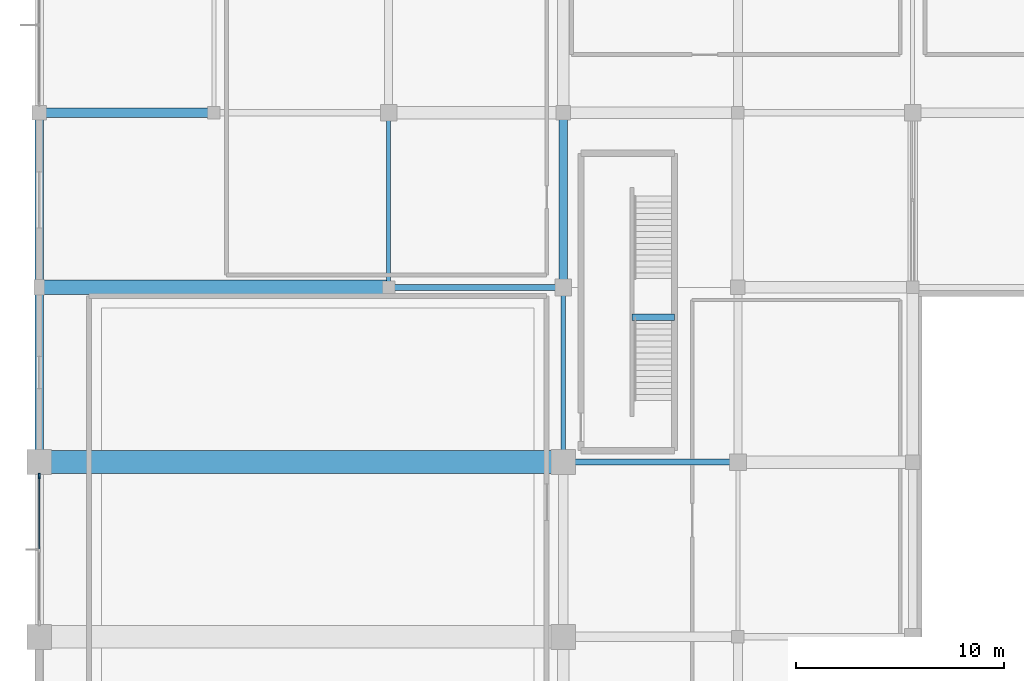
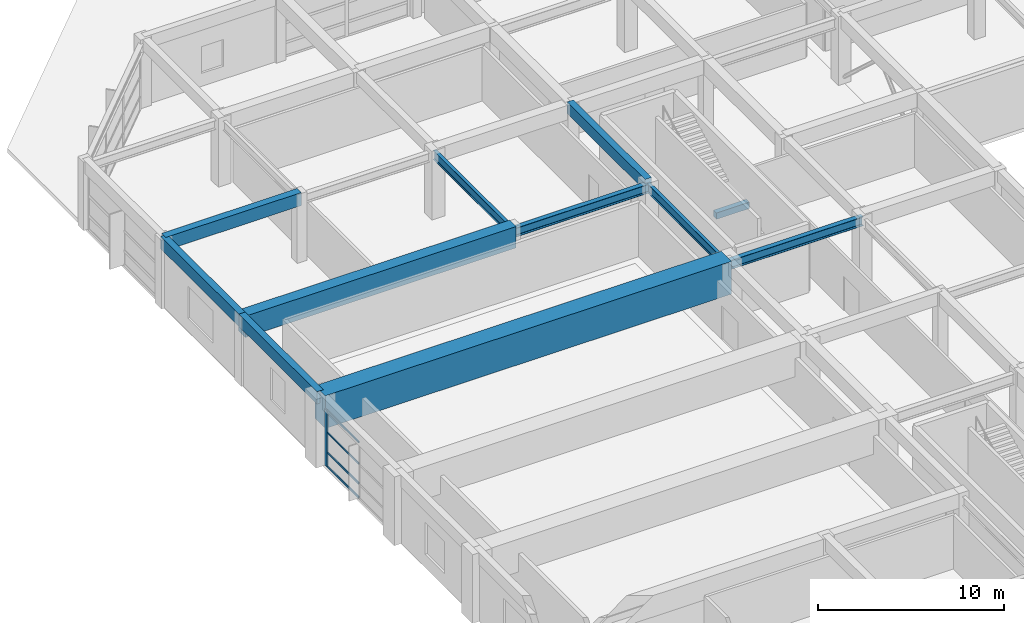
# One storey, part 19 of 60: 11 beams, 5 members, 1 element without a shape of its own.
"""IFC4 building model written with IfcOpenShell, lengths in metres."""

from ifc_helpers import new_model, si_unit, direction, frame, origin, origin_2d, place, context, subcontext, project, spatial, rectangle, i_section, extrude, material, material_profile, profile_set, type_object, element, aggregate, save


model = new_model("IFC4")

# Units and contexts
model_context = context("Model", 3, precision=1e-05, world=origin(), true_north=direction((0.0, 1.0)))
body_context = subcontext(model_context, "Body", "Model", "MODEL_VIEW")
ifc_project = project(units=[si_unit("LENGTHUNIT", "METRE"), si_unit("AREAUNIT", "SQUARE_METRE"), si_unit("VOLUMEUNIT", "CUBIC_METRE"), si_unit("PLANEANGLEUNIT", "RADIAN"), si_unit("MASSUNIT", "GRAM", prefix="KILO")], contexts=[model_context])

# Site, building, storey
site_placement = place(None, origin())
site = spatial("IfcSite", under=ifc_project, at=site_placement, CompositionType="ELEMENT")
building_placement = place(site_placement, origin())
building = spatial("IfcBuilding", under=site, at=building_placement, Name="Xuanlan Plaza Opera House", CompositionType="ELEMENT")
storey_placement = place(building_placement, frame((0.0, 0.0, 9.89990234375)))
storey = spatial("IfcBuildingStorey", under=building, at=storey_placement, Name="L02", CompositionType="ELEMENT", Elevation=9.89990234375)

# Curtain wall, members
ifc_material_1 = material(Name="Anodised Aluminium 6063-T6 and Low-E Glass", Category="aluminium")
curtain_wall_type = type_object("IfcCurtainWallType", Name="ENV-CW-CW-03", PredefinedType="USERDEFINED", material=ifc_material_1)
curtain_wall_placement = place(storey_placement, origin())
curtain_wall = element("IfcCurtainWall", 1, at=curtain_wall_placement, inside=storey, type_object=curtain_wall_type, Name="Unitised Curtain Wall L02-051", ObjectType="UNITISED CURTAIN WALL", PredefinedType="USERDEFINED")
ifc_material_2 = material(Name="Anodised Aluminium 6063-T6", Category="aluminium")
ifc_material_profile_1 = material_profile(ifc_material_2, rectangle(XDim=0.090087890625, YDim=0.25, at=origin_2d()), Name="ALU-M 90x250")
ifc_profile_set_1 = profile_set([ifc_material_profile_1], Name="Anodised Aluminium 6063-T6")
member_type_1 = type_object("IfcMemberType", Name="ENV-CWM-05", PredefinedType="MULLION", material=ifc_profile_set_1)
member_1_placement = place(storey_placement, frame((0.0, 66.534912109375, 0.0), z_axis=(0.0, 0.0, 1.0), x_axis=(1.0, 0.0, 0.0)))
member_1 = element("IfcMember", 2, at=member_1_placement, type_object=member_type_1, Name="CW-03 mullion 1", PredefinedType="MULLION", context=body_context, shape_type="SweptSolid", body=[
    extrude(rectangle(XDim=0.090087890625, YDim=0.25, at=origin_2d()), origin(), (0.0, 0.0, 1.0), 3.68017578125),
])
ifc_material_profile_2 = material_profile(ifc_material_2, rectangle(XDim=0.06494140625, YDim=0.1201171875, at=origin_2d()), Name="ALU-T 65x120")
ifc_profile_set_2 = profile_set([ifc_material_profile_2], Name="Anodised Aluminium 6063-T6")
member_type_2 = type_object("IfcMemberType", Name="ENV-CWT-01", PredefinedType="USERDEFINED", material=ifc_profile_set_2)
member_2_placement = place(storey_placement, frame((0.0, 66.489990234375, 0.03271484375), z_axis=(0.0, -1.0, 0.0), x_axis=(1.0, 0.0, 0.0)))
member_2 = element("IfcMember", 3, at=member_2_placement, type_object=member_type_2, Name="CW-03 transom 1.1", ObjectType="TRANSOM", PredefinedType="USERDEFINED", context=body_context, shape_type="SweptSolid", body=[
    extrude(rectangle(XDim=0.06494140625, YDim=0.1201171875, at=origin_2d()), origin(), (0.0, 0.0, 1.0), 3.445068359375),
])
member_3_placement = place(storey_placement, frame((0.0, 66.489990234375, 0.9501953125), z_axis=(0.0, -1.0, 0.0), x_axis=(1.0, 0.0, 0.0)))
member_3 = element("IfcMember", 4, at=member_3_placement, type_object=member_type_2, Name="CW-03 transom 1.2", ObjectType="TRANSOM", PredefinedType="USERDEFINED", context=body_context, shape_type="SweptSolid", body=[
    extrude(rectangle(XDim=0.06494140625, YDim=0.1201171875, at=origin_2d()), origin(), (0.0, 0.0, 1.0), 3.445068359375),
])
member_4_placement = place(storey_placement, frame((0.0, 66.489990234375, 2.25), z_axis=(0.0, -1.0, 0.0), x_axis=(1.0, 0.0, 0.0)))
member_4 = element("IfcMember", 5, at=member_4_placement, type_object=member_type_2, Name="CW-03 transom 1.3", ObjectType="TRANSOM", PredefinedType="USERDEFINED", context=body_context, shape_type="SweptSolid", body=[
    extrude(rectangle(XDim=0.06494140625, YDim=0.1201171875, at=origin_2d()), origin(), (0.0, 0.0, 1.0), 3.445068359375),
])
member_5_placement = place(storey_placement, frame((0.0, 66.489990234375, 3.647705078125), z_axis=(0.0, -1.0, 0.0), x_axis=(1.0, 0.0, 0.0)))
member_5 = element("IfcMember", 6, at=member_5_placement, type_object=member_type_2, Name="CW-03 transom 1.4", ObjectType="TRANSOM", PredefinedType="USERDEFINED", context=body_context, shape_type="SweptSolid", body=[
    extrude(rectangle(XDim=0.06494140625, YDim=0.1201171875, at=origin_2d()), origin(), (0.0, 0.0, 1.0), 3.445068359375),
])
aggregate(curtain_wall, [member_1, member_2, member_3, member_4, member_5])

# Beams
ifc_material_3 = material(Name="Concrete C40", Category="concrete")
ifc_material_profile_3 = material_profile(ifc_material_3, rectangle(XDim=0.449951171875, YDim=0.85009765625, at=origin_2d()), Name="RC-BM 450x850")
ifc_profile_set_3 = profile_set([ifc_material_profile_3], Name="Concrete C40")
beam_type_1 = type_object("IfcBeamType", Name="STR-BM-B-04", PredefinedType="BEAM", material=ifc_profile_set_3)
beam_1_placement = place(storey_placement, frame((0.0, 84.0, 4.0751953125), z_axis=(1.0, 0.0, 0.0), x_axis=(0.0, 1.0, 0.0)))
element("IfcBeam", 7, at=beam_1_placement, inside=storey, type_object=beam_type_1, Name="Grid Beam X L02 1-2/K", PredefinedType="BEAM", context=body_context, shape_type="SweptSolid", body=[
    extrude(rectangle(XDim=0.449951171875, YDim=0.85009765625, at=origin_2d()), origin(), (0.0, 0.0, 1.0), 8.39990234375),
])
ifc_material_profile_4 = material_profile(ifc_material_3, rectangle(XDim=0.39990234375, YDim=0.75, at=origin_2d()), Name="RC-BM 400x750")
ifc_profile_set_4 = profile_set([ifc_material_profile_4], Name="Concrete C40")
beam_type_2 = type_object("IfcBeamType", Name="STR-BM-B-06", PredefinedType="BEAM", material=ifc_profile_set_4)
beam_2_placement = place(storey_placement, frame((25.199951171875, 75.60009765625, 4.125), z_axis=(0.0, 1.0, 0.0), x_axis=(-1.0, 0.0, 0.0)))
element("IfcBeam", 8, at=beam_2_placement, inside=storey, type_object=beam_type_2, Name="Grid Beam Y L02 4/J-K", PredefinedType="BEAM", context=body_context, shape_type="SweptSolid", body=[
    extrude(rectangle(XDim=0.39990234375, YDim=0.75, at=origin_2d()), origin(), (0.0, 0.0, 1.0), 8.39990234375),
])
ifc_material_4 = material(Name="Concrete C50", Category="concrete")
ifc_material_profile_5 = material_profile(ifc_material_4, rectangle(XDim=0.699951171875, YDim=1.39990234375, at=origin_2d()), Name="RC-LG 700x1400")
ifc_profile_set_5 = profile_set([ifc_material_profile_5], Name="Concrete C50")
beam_type_3 = type_object("IfcBeamType", Name="STR-BM-LG-01", PredefinedType="BEAM", material=ifc_profile_set_5)
beam_3_placement = place(storey_placement, frame((0.0, 75.60009765625, 3.800048828125), z_axis=(1.0, 0.0, 0.0), x_axis=(0.0, 1.0, 0.0)))
element("IfcBeam", 9, at=beam_3_placement, inside=storey, type_object=beam_type_3, Name="Grid Beam X L02 1-3/J", PredefinedType="BEAM", context=body_context, shape_type="SweptSolid", body=[
    extrude(rectangle(XDim=0.699951171875, YDim=1.39990234375, at=origin_2d()), origin(), (0.0, 0.0, 1.0), 16.800048828125),
])
ifc_material_5 = material(Name="Concrete C60", Category="concrete")
ifc_material_profile_6 = material_profile(ifc_material_5, rectangle(XDim=1.10009765625, YDim=2.14990234375, at=origin_2d()), Name="RC-TG 1100x2150")
ifc_profile_set_6 = profile_set([ifc_material_profile_6], Name="Concrete C60")
beam_type_4 = type_object("IfcBeamType", Name="STR-BM-LG-03", PredefinedType="BEAM", material=ifc_profile_set_6)
beam_4_placement = place(storey_placement, frame((0.0, 67.199951171875, 3.425048828125), z_axis=(1.0, 0.0, 0.0), x_axis=(0.0, 1.0, 0.0)))
element("IfcBeam", 10, at=beam_4_placement, inside=storey, type_object=beam_type_4, Name="Grid Beam X L02 1-4/I", PredefinedType="BEAM", context=body_context, shape_type="SweptSolid", body=[
    extrude(rectangle(XDim=1.10009765625, YDim=2.14990234375, at=origin_2d()), origin(), (0.0, 0.0, 1.0), 25.199951171875),
])
ifc_material_profile_7 = material_profile(ifc_material_3, rectangle(XDim=0.320068359375, YDim=0.419921875, at=origin_2d()), Name="RC-LNT 320x420")
ifc_profile_set_7 = profile_set([ifc_material_profile_7], Name="Concrete C40")
beam_type_5 = type_object("IfcBeamType", Name="STR-BM-LN-04", PredefinedType="LINTEL", material=ifc_profile_set_7)
beam_5_placement = place(storey_placement, frame((28.5, 74.159912109375, 1.840087890625), z_axis=(1.0, 0.0, 0.0), x_axis=(0.0, 1.0, 0.0)))
element("IfcBeam", 11, at=beam_5_placement, inside=storey, type_object=beam_type_5, Name="Stair Mid-Landing Trimmer Beam ST-P2 L02", PredefinedType="LINTEL", context=body_context, shape_type="SweptSolid", body=[
    extrude(rectangle(XDim=0.320068359375, YDim=0.419921875, at=origin_2d()), origin(), (0.0, 0.0, 1.0), 2.050048828125),
])
ifc_material_6 = material(Name="Steel Q355B", Category="steel")
ifc_material_profile_8 = material_profile(ifc_material_6, i_section(OverallWidth=0.199951171875, OverallDepth=0.60009765625, WebThickness=0.010986328125, FlangeThickness=0.01708984375, FilletRadius=0.02197265625, at=origin_2d()), Name="HN 600x200x11x17")
ifc_profile_set_8 = profile_set([ifc_material_profile_8], Name="Steel Q355B")
beam_type_6 = type_object("IfcBeamType", Name="STR-BM-SB-04", PredefinedType="BEAM", material=ifc_profile_set_8)
beam_6_placement = place(storey_placement, frame((16.800048828125, 75.60009765625, 3.93505859375), z_axis=(0.0, 1.0, 0.0), x_axis=(-1.0, 0.0, 0.0)))
element("IfcBeam", 12, at=beam_6_placement, inside=storey, type_object=beam_type_6, Name="Grid Beam Y L02 3/J-K", PredefinedType="BEAM", context=body_context, shape_type="SweptSolid", body=[
    extrude(i_section(OverallWidth=0.199951171875, OverallDepth=0.60009765625, WebThickness=0.010986328125, FlangeThickness=0.01708984375, FilletRadius=0.02197265625, at=origin_2d()), origin(), (0.0, 0.0, 1.0), 8.39990234375),
])
beam_7_placement = place(storey_placement, frame((25.199951171875, 67.199951171875, 3.93505859375), z_axis=(0.0, 1.0, 0.0), x_axis=(-1.0, 0.0, 0.0)))
element("IfcBeam", 13, at=beam_7_placement, inside=storey, type_object=beam_type_6, Name="Grid Beam Y L02 4/I-J", PredefinedType="BEAM", context=body_context, shape_type="SweptSolid", body=[
    extrude(i_section(OverallWidth=0.199951171875, OverallDepth=0.60009765625, WebThickness=0.010986328125, FlangeThickness=0.01708984375, FilletRadius=0.02197265625, at=origin_2d()), origin(), (0.0, 0.0, 1.0), 8.400146484375),
])
ifc_material_profile_9 = material_profile(ifc_material_6, i_section(OverallWidth=0.300048828125, OverallDepth=0.587890625, WebThickness=0.011962890625, FlangeThickness=0.02001953125, FilletRadius=0.02392578125, at=origin_2d()), Name="HM 588x300x12x20")
ifc_profile_set_9 = profile_set([ifc_material_profile_9], Name="Steel Q355B")
beam_type_7 = type_object("IfcBeamType", Name="STR-BM-SB-06", PredefinedType="BEAM", material=ifc_profile_set_9)
beam_8_placement = place(storey_placement, frame((25.199951171875, 67.199951171875, 3.941162109375), z_axis=(1.0, 0.0, 0.0), x_axis=(0.0, 1.0, 0.0)))
element("IfcBeam", 14, at=beam_8_placement, inside=storey, type_object=beam_type_7, Name="Grid Beam X L02 4-5/I", PredefinedType="BEAM", context=body_context, shape_type="SweptSolid", body=[
    extrude(i_section(OverallWidth=0.300048828125, OverallDepth=0.587890625, WebThickness=0.011962890625, FlangeThickness=0.02001953125, FilletRadius=0.02392578125, at=origin_2d()), origin(), (0.0, 0.0, 1.0), 8.400146484375),
])
beam_9_placement = place(storey_placement, frame((16.800048828125, 75.60009765625, 3.941162109375), z_axis=(1.0, 0.0, 0.0), x_axis=(0.0, 1.0, 0.0)))
element("IfcBeam", 15, at=beam_9_placement, inside=storey, type_object=beam_type_7, Name="Grid Beam X L02 3-4/J", PredefinedType="BEAM", context=body_context, shape_type="SweptSolid", body=[
    extrude(i_section(OverallWidth=0.300048828125, OverallDepth=0.587890625, WebThickness=0.011962890625, FlangeThickness=0.02001953125, FilletRadius=0.02392578125, at=origin_2d()), origin(), (0.0, 0.0, 1.0), 8.39990234375),
])
ifc_material_profile_10 = material_profile(ifc_material_3, rectangle(XDim=0.39990234375, YDim=0.800048828125, at=origin_2d()), Name="RC-SPD 400x800")
ifc_profile_set_10 = profile_set([ifc_material_profile_10], Name="Concrete C40")
beam_type_8 = type_object("IfcBeamType", Name="STR-BM-SP-01", PredefinedType="SPANDREL", material=ifc_profile_set_10)
beam_10_placement = place(storey_placement, frame((0.0, 67.199951171875, 4.10009765625), z_axis=(0.0, 1.0, 0.0), x_axis=(-1.0, 0.0, 0.0)))
element("IfcBeam", 16, at=beam_10_placement, inside=storey, type_object=beam_type_8, Name="Grid Beam Y L02 1/I-J", PredefinedType="SPANDREL", context=body_context, shape_type="SweptSolid", body=[
    extrude(rectangle(XDim=0.39990234375, YDim=0.800048828125, at=origin_2d()), origin(), (0.0, 0.0, 1.0), 8.400146484375),
])
beam_11_placement = place(storey_placement, frame((0.0, 75.60009765625, 4.10009765625), z_axis=(0.0, 1.0, 0.0), x_axis=(-1.0, 0.0, 0.0)))
element("IfcBeam", 17, at=beam_11_placement, inside=storey, type_object=beam_type_8, Name="Grid Beam Y L02 1/J-K", PredefinedType="SPANDREL", context=body_context, shape_type="SweptSolid", body=[
    extrude(rectangle(XDim=0.39990234375, YDim=0.800048828125, at=origin_2d()), origin(), (0.0, 0.0, 1.0), 8.39990234375),
])

save(model, "model.ifc")
